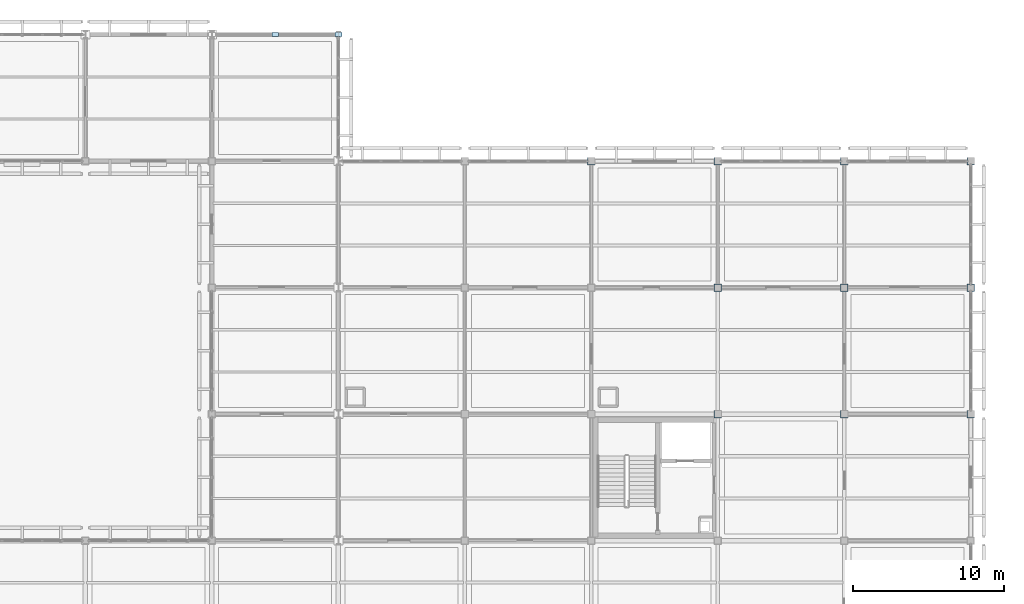
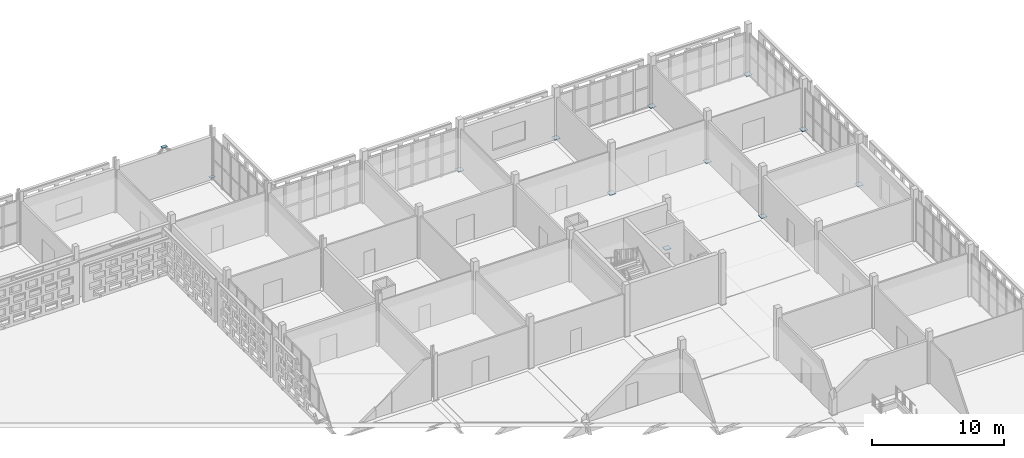
# One storey, part 112 of 203: 12 plates.
"""IFC4 building model written with IfcOpenShell, lengths in metres."""

from ifc_helpers import new_model, si_unit, direction, frame, origin, origin_2d, place, context, subcontext, project, spatial, rectangle, extrude, material, layer, layer_set, type_object, element, save


model = new_model("IFC4")

# Units and contexts
model_context = context("Model", 3, precision=1e-05, world=origin(), true_north=direction((0.0, 1.0)))
body_context = subcontext(model_context, "Body", "Model", "MODEL_VIEW")
ifc_project = project(units=[si_unit("LENGTHUNIT", "METRE"), si_unit("AREAUNIT", "SQUARE_METRE"), si_unit("VOLUMEUNIT", "CUBIC_METRE"), si_unit("PLANEANGLEUNIT", "RADIAN"), si_unit("MASSUNIT", "GRAM", prefix="KILO")], contexts=[model_context])

# Site, building, storey
site_placement = place(None, origin())
site = spatial("IfcSite", under=ifc_project, at=site_placement, CompositionType="ELEMENT")
building_placement = place(site_placement, origin())
building = spatial("IfcBuilding", under=site, at=building_placement, Name="Varnapada Polytechnic", CompositionType="ELEMENT")
storey_placement = place(building_placement, frame((0.0, 0.0, 4.800048828125)))
storey = spatial("IfcBuildingStorey", under=building, at=storey_placement, Name="L01", CompositionType="ELEMENT", Elevation=4.800048828125)

# Plates
ifc_material = material(Name="Steel S355", Category="steel")
ifc_layer_1 = layer(ifc_material, 0.030029296875)
ifc_layer_set_1 = layer_set([ifc_layer_1], Name="Steel S355")
plate_type_1 = type_object("IfcPlateType", Name="Plate BP-02", PredefinedType="SHEET", material=ifc_layer_set_1)
for number, where, z_axis, x_axis, name in (
    (1, (151.199951171875, 117.60009765625, 0.0), (0.0, 0.0, 1.0), (1.0, 0.0, 0.0), "Column base shoe plate BP-02 at 19/15"),
    (2, (159.60009765625, 100.800048828125, 0.0), (0.0, 0.0, 1.0), (1.0, 0.0, 0.0), "Column base shoe plate BP-02 at 20/13"),
    (3, (159.60009765625, 109.199951171875, 0.0), (0.0, 0.0, 1.0), (1.0, 0.0, 0.0), "Column base shoe plate BP-02 at 20/14"),
    (4, (159.60009765625, 117.60009765625, 0.0), (0.0, 0.0, 1.0), (1.0, 0.0, 0.0), "Column base shoe plate BP-02 at 20/15"),
    (5, (168.0, 100.800048828125, 0.0), (0.0, 0.0, 1.0), (1.0, 0.0, 0.0), "Column base shoe plate BP-02 at 21/13"),
    (6, (168.0, 109.199951171875, 0.0), (0.0, 0.0, 1.0), (1.0, 0.0, 0.0), "Column base shoe plate BP-02 at 21/14"),
    (7, (168.0, 117.60009765625, 0.0), (0.0, 0.0, 1.0), (1.0, 0.0, 0.0), "Column base shoe plate BP-02 at 21/15"),
    (8, (176.39990234375, 100.800048828125, 0.0), (0.0, 0.0, 1.0), (1.0, 0.0, 0.0), "Column base shoe plate BP-02 at 22/13"),
    (9, (176.39990234375, 109.199951171875, 0.0), (0.0, 0.0, 1.0), (1.0, 0.0, 0.0), "Column base shoe plate BP-02 at 22/14"),
    (10, (176.39990234375, 117.60009765625, 0.0), (0.0, 0.0, 1.0), (1.0, 0.0, 0.0), "Column base shoe plate BP-02 at 22/15"),
):
    element("IfcPlate", number, at=place(storey_placement, frame(where, z_axis=z_axis, x_axis=x_axis)), inside=storey, type_object=plate_type_1, Name=name, PredefinedType="SHEET", context=body_context, shape_type="SweptSolid", body=[
        extrude(rectangle(XDim=0.5, YDim=0.5, at=origin_2d()), origin(), (0.0, 0.0, 1.0), 0.030029296875),
    ])
ifc_layer_2 = layer(ifc_material, 0.02001953125)
ifc_layer_set_2 = layer_set([ifc_layer_2], Name="Steel S355")
plate_type_2 = type_object("IfcPlateType", Name="Plate BP-03", PredefinedType="SHEET", material=ifc_layer_set_2)
for number, where, z_axis, x_axis, name in (
    (11, (130.199951171875, 126.0, 4.389892578125), (0.0, 0.0, 1.0), (1.0, 0.0, 0.0), "L01 chevron brace gusset plate 4"),
    (12, (134.39990234375, 126.0, 0.1298828125), (0.0, 0.0, 1.0), (1.0, 0.0, 0.0), "L01 chevron brace base gusset plate 4R"),
):
    element("IfcPlate", number, at=place(storey_placement, frame(where, z_axis=z_axis, x_axis=x_axis)), inside=storey, type_object=plate_type_2, Name=name, PredefinedType="SHEET", context=body_context, shape_type="SweptSolid", body=[
        extrude(rectangle(XDim=0.449951171875, YDim=0.280029296875, at=origin_2d()), origin(), (0.0, 0.0, 1.0), 0.02001953125),
    ])

save(model, "model.ifc")
